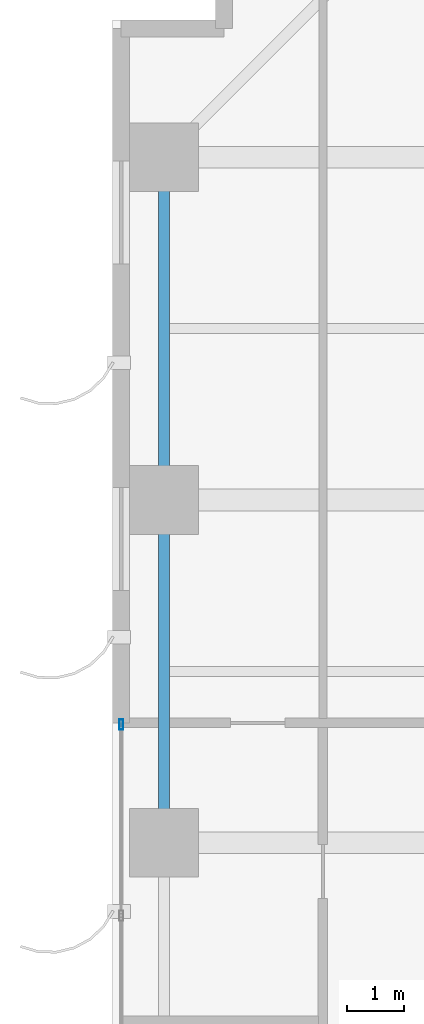
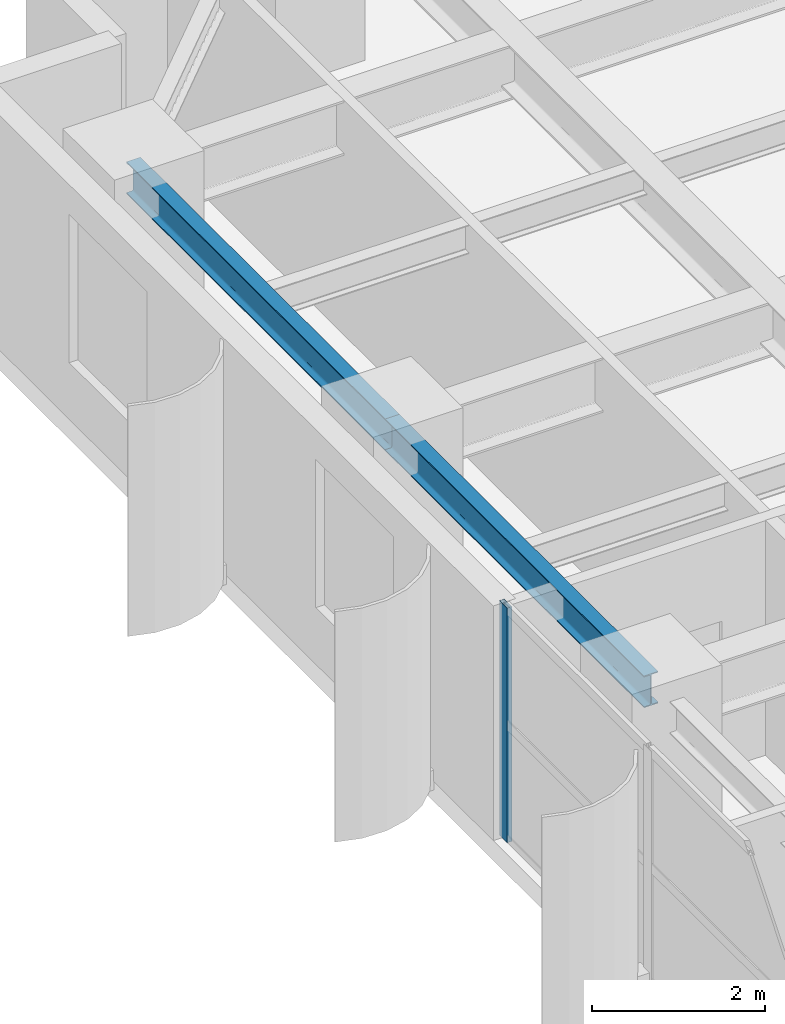
# One storey, part 5 of 16: 2 beams, 1 member, 1 element without a shape of its own.
"""IFC4 building model written with IfcOpenShell, lengths in metres."""

from ifc_helpers import new_model, si_unit, direction, frame, origin, origin_2d, place, context, subcontext, project, spatial, hollow_rectangle, i_section, extrude, source, transform, mapped, material, layer, layer_set, material_profile, profile_set, type_object, element, aggregate, save


model = new_model("IFC4")

# Units and contexts
model_context = context("Model", 3, precision=1e-05, world=origin(), true_north=direction((0.0, 1.0)))
body_context = subcontext(model_context, "Body", "Model", "MODEL_VIEW")
ifc_project = project(units=[si_unit("LENGTHUNIT", "METRE"), si_unit("AREAUNIT", "SQUARE_METRE"), si_unit("VOLUMEUNIT", "CUBIC_METRE"), si_unit("PLANEANGLEUNIT", "RADIAN"), si_unit("MASSUNIT", "GRAM", prefix="KILO")], contexts=[model_context])

# Site, building, storey
site_placement = place(None, origin())
site = spatial("IfcSite", under=ifc_project, at=site_placement, CompositionType="ELEMENT")
building_placement = place(site_placement, origin())
building = spatial("IfcBuilding", under=site, at=building_placement, Name="Khoralis Quay Care Tower", CompositionType="ELEMENT")
storey_placement = place(building_placement, frame((0.0, 0.0, 29.699951171875)))
storey = spatial("IfcBuildingStorey", under=building, at=storey_placement, Name="L07", CompositionType="ELEMENT", Elevation=29.699951171875)

# Beams
ifc_material_1 = material(Name="Steel S355", Category="steel")
ifc_material_profile_1 = material_profile(ifc_material_1, i_section(OverallWidth=0.18994140625, OverallDepth=0.449951171875, WebThickness=0.009521484375, FlangeThickness=0.0146484375, FilletRadius=0.02099609375, at=origin_2d()), Name="Steel S355")
ifc_profile_set_1 = profile_set([ifc_material_profile_1], Name="Steel S355")
beam_type = type_object("IfcBeamType", Name="BM-IPE450", PredefinedType="SPANDREL", material=ifc_profile_set_1)
shared_shape_1 = source(origin(), body_context, "Body", "SweptSolid", [
    extrude(i_section(OverallWidth=0.18994140625, OverallDepth=0.449951171875, WebThickness=0.009521484375, FlangeThickness=0.0146484375, FilletRadius=0.02099609375, at=origin_2d()), origin(), (0.0, 0.0, 1.0), 6.0),
])
for number, where, z_axis, x_axis, name in (
    (1, (0.89990234375, 30.0, 3.094970703125), (0.0, 1.0, 0.0), (-1.0, 0.0, 0.0), "BM-TSP-L07-17"),
    (2, (0.89990234375, 36.0, 3.094970703125), (0.0, 1.0, 0.0), (-1.0, 0.0, 0.0), "BM-TSP-L07-18"),
):
    element("IfcBeam", number, at=place(storey_placement, frame(where, z_axis=z_axis, x_axis=x_axis)), inside=storey, type_object=beam_type, Name=name, PredefinedType="SPANDREL", context=body_context, shape_type="MappedRepresentation", body=[
        mapped(shared_shape_1, transform((0.0, 0.0, 0.0), scale=1.0)),
    ])

# Curtain wall, member
ifc_material_2 = material(Name="Pale anodised aluminium", Category="aluminium")
ifc_layer = layer(ifc_material_2, 0.179931640625)
ifc_layer_set = layer_set([ifc_layer], Name="Pale anodised aluminium")
curtain_wall_type = type_object("IfcCurtainWallType", Name="CW-SYS-Z1", PredefinedType="NOTDEFINED", material=ifc_layer_set)
curtain_wall_placement = place(storey_placement, origin())
curtain_wall = element("IfcCurtainWall", 3, at=curtain_wall_placement, inside=storey, type_object=curtain_wall_type, Name="L07 Unitised Curtain Wall CW-L07-P1-E15", PredefinedType="NOTDEFINED")
ifc_material_profile_2 = material_profile(ifc_material_2, hollow_rectangle(XDim=0.06494140625, YDim=0.179931640625, WallThickness=0.00390625, at=origin_2d()), Name="Pale anodised aluminium")
ifc_profile_set_2 = profile_set([ifc_material_profile_2], Name="Pale anodised aluminium")
member_type = type_object("IfcMemberType", Name="CW-MUL-180", PredefinedType="MULLION", material=ifc_profile_set_2)
shared_shape_2 = source(origin(), body_context, "Body", "SweptSolid", [
    extrude(hollow_rectangle(XDim=0.06494140625, YDim=0.179931640625, WallThickness=0.00390625, at=origin_2d()), origin(), (0.0, 0.0, 1.0), 3.320068359375),
])
member_placement = place(storey_placement, frame((0.14990234375, 32.070068359375, 0.0), z_axis=(0.0, 0.0, 1.0), x_axis=(1.0, 0.0, 0.0)))
member = element("IfcMember", 4, at=member_placement, type_object=member_type, Name="CW1 mullion 1", PredefinedType="MULLION", context=body_context, shape_type="MappedRepresentation", body=[
    mapped(shared_shape_2, transform((0.0, 0.0, 0.0), scale=1.0)),
])
aggregate(curtain_wall, [member])

save(model, "model.ifc")
